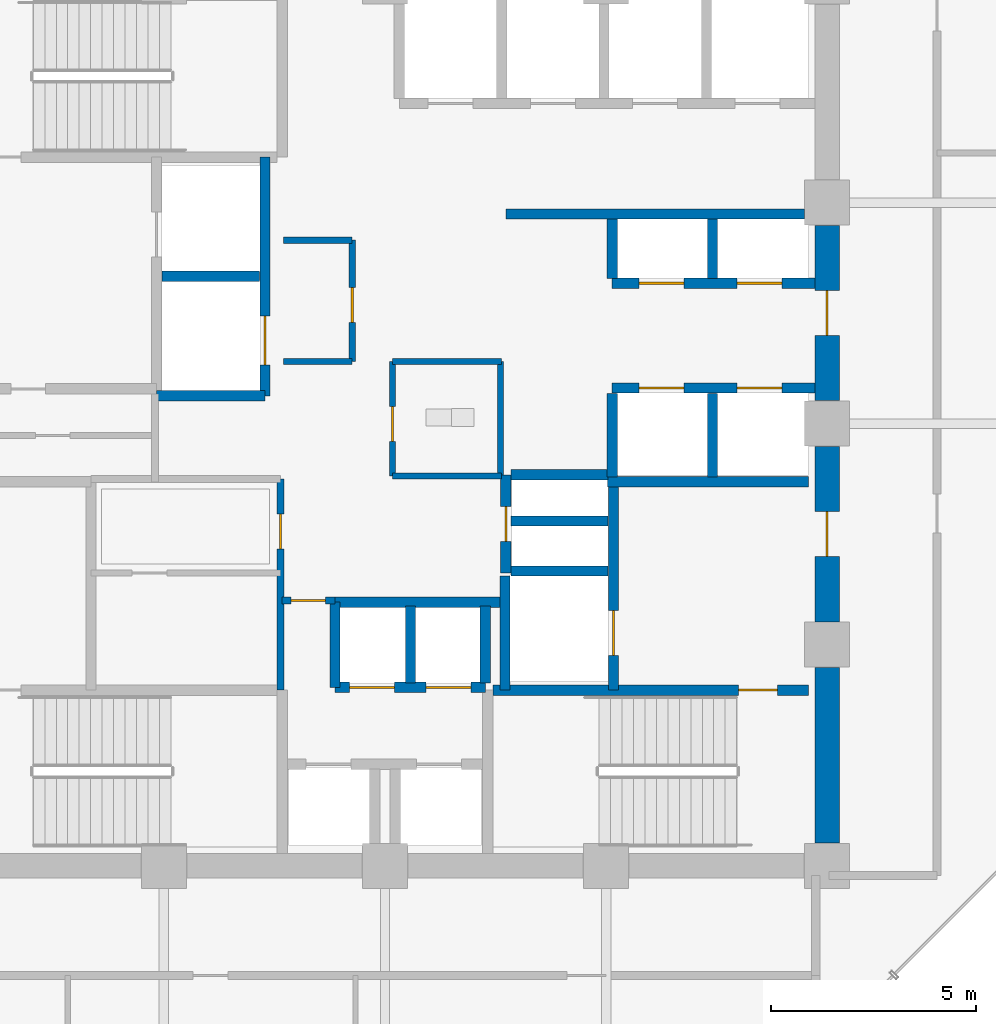
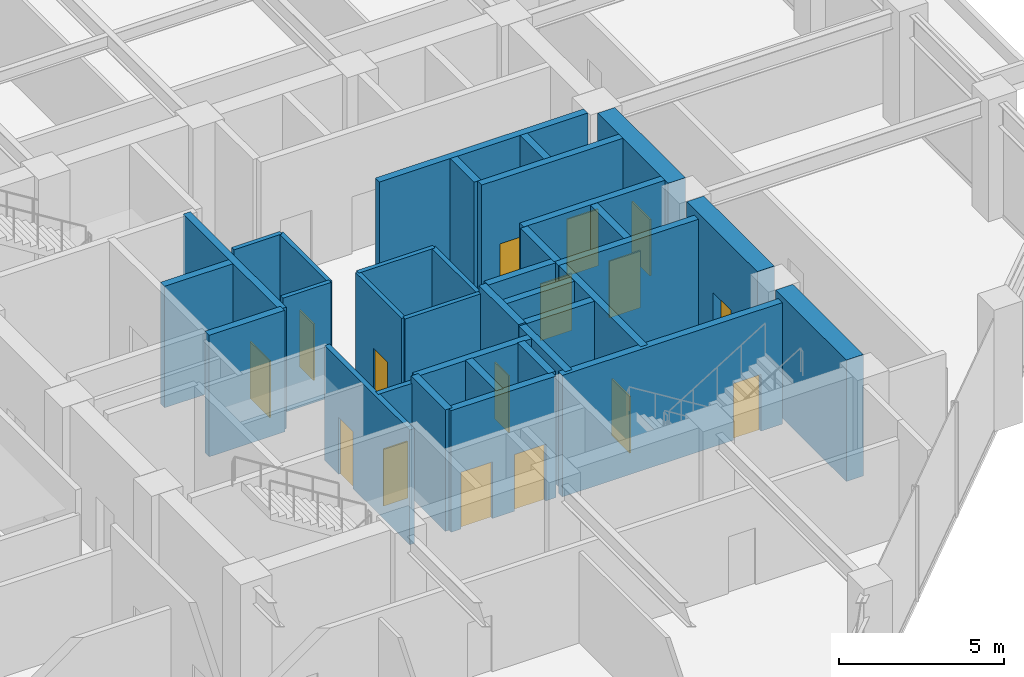
# One storey, part 20 of 25: 35 walls, 16 doors, 16 openings.
"""IFC4 building model written with IfcOpenShell, lengths in metres."""

from ifc_helpers import new_model, si_unit, direction, frame, frame_2d, origin, place, context, subcontext, project, spatial, rectangle, extrude, material, layer, layer_set, type_object, element, fill, save


model = new_model("IFC4")

# Units and contexts
model_context = context("Model", 3, precision=1e-05, world=origin(), true_north=direction((0.0, 1.0)))
body_context = subcontext(model_context, "Body", "Model", "MODEL_VIEW")
ifc_project = project(units=[si_unit("LENGTHUNIT", "METRE"), si_unit("AREAUNIT", "SQUARE_METRE"), si_unit("VOLUMEUNIT", "CUBIC_METRE"), si_unit("PLANEANGLEUNIT", "RADIAN"), si_unit("MASSUNIT", "GRAM", prefix="KILO")], contexts=[model_context])

# Site, building, storey
site_placement = place(None, origin())
site = spatial("IfcSite", under=ifc_project, at=site_placement, CompositionType="ELEMENT")
building_placement = place(site_placement, origin())
building = spatial("IfcBuilding", under=site, at=building_placement, Name="Surkhivell Harbour Commons", CompositionType="ELEMENT")
storey_placement = place(building_placement, frame((0.0, 0.0, 162.0)))
storey = spatial("IfcBuildingStorey", under=building, at=storey_placement, Name="L42", CompositionType="ELEMENT", Elevation=162.0)

# Wall
ifc_material_1 = material(Name="Concrete C60/75", Category="concrete")
ifc_layer_1 = layer(ifc_material_1, 0.60009765625)
ifc_layer_set_1 = layer_set([ifc_layer_1], Name="Concrete C60/75")
wall_type_1 = type_object("IfcWallType", Name="WAL-CORE-600", PredefinedType="SHEAR", material=ifc_layer_set_1)
wall_1_placement = place(storey_placement, frame((10.800048828125, -10.239990234375, 0.0), z_axis=(0.0, 0.0, 1.0), x_axis=(0.0, 1.0, 0.0)))
element("IfcWall", 1, at=wall_1_placement, inside=storey, type_object=wall_type_1, Name="L42 Core Shear Wall East 1", PredefinedType="SHEAR", context=body_context, shape_type="SweptSolid", body=[
    extrude(rectangle(XDim=4.280029296875, YDim=0.60009765625, at=frame_2d((2.14013671875, 0.0))), origin(), (0.0, 0.0, 1.0), 4.5),
])

# Wall, opening, door
wall_2_placement = place(storey_placement, frame((10.800048828125, -4.840087890625, 0.0), z_axis=(0.0, 0.0, 1.0), x_axis=(0.0, 1.0, 0.0)))
wall_2 = element("IfcWall", 2, at=wall_2_placement, inside=storey, type_object=wall_type_1, Name="L42 Core Shear Wall East 2", PredefinedType="SHEAR", context=body_context, shape_type="SweptSolid", body=[
    extrude(rectangle(XDim=4.280029296875, YDim=0.60009765625, at=frame_2d((2.14013671875, 0.0))), origin(), (0.0, 0.0, 1.0), 4.5),
])
opening_1_placement = place(wall_2_placement, frame((1.590087890625, 0.0, 0.0)))
opening_1 = element("IfcOpeningElement", 3, at=opening_1_placement, cuts=wall_2, Name="Opening ID-1", PredefinedType="OPENING", context=body_context, shape_type="SweptSolid", body=[
    extrude(rectangle(XDim=1.10009765625, YDim=2.10009765625, at=frame_2d((0.550048828125, 1.050048828125))), frame((0.0, 0.31005859375, 0.0), z_axis=(0.0, -1.0, 0.0), x_axis=(1.0, 0.0, 0.0)), (0.0, 0.0, 1.0), 0.6201171875),
])
ifc_material_2 = material(Name="Hardwood-veneered fire-rated door leaf", Category="wood")
door_type_1 = type_object("IfcDoorType", Name="DOR-FD120-1100", OperationType="NOTDEFINED", PredefinedType="DOOR", material=ifc_material_2)
door_1_placement = place(opening_1_placement, origin())
door_1 = element("IfcDoor", 4, at=door_1_placement, inside=storey, type_object=door_type_1, Name="L42 Firefighting Lobby 2 Corridor Door", OperationType="SINGLE_SWING_RIGHT", OverallHeight=2.10009765625, OverallWidth=1.10009765625, PredefinedType="DOOR", context=body_context, shape_type="SweptSolid", body=[
    extrude(rectangle(XDim=1.10009765625, YDim=2.10009765625, at=frame_2d((0.550048828125, 1.050048828125))), frame((0.0, 0.02490234375, 0.0), z_axis=(0.0, -1.0, 0.0), x_axis=(1.0, 0.0, 0.0)), (0.0, 0.0, 1.0), 0.050048828125),
])
fill(opening_1, door_1)

wall_3_placement = place(storey_placement, frame((10.800048828125, 0.56005859375, 0.0), z_axis=(0.0, 0.0, 1.0), x_axis=(0.0, 1.0, 0.0)))
wall_3 = element("IfcWall", 5, at=wall_3_placement, inside=storey, type_object=wall_type_1, Name="L42 Core Shear Wall East 3", PredefinedType="SHEAR", context=body_context, shape_type="SweptSolid", body=[
    extrude(rectangle(XDim=4.280029296875, YDim=0.60009765625, at=frame_2d((2.14013671875, 0.0))), origin(), (0.0, 0.0, 1.0), 4.5),
])
opening_2_placement = place(wall_3_placement, frame((1.590087890625, 0.0, 0.0)))
opening_2 = element("IfcOpeningElement", 6, at=opening_2_placement, cuts=wall_3, Name="Opening ID-2", PredefinedType="OPENING", context=body_context, shape_type="SweptSolid", body=[
    extrude(rectangle(XDim=1.10009765625, YDim=2.10009765625, at=frame_2d((0.550048828125, 1.050048828125))), frame((0.0, 0.31005859375, 0.0), z_axis=(0.0, -1.0, 0.0), x_axis=(1.0, 0.0, 0.0)), (0.0, 0.0, 1.0), 0.6201171875),
])
door_type_2 = type_object("IfcDoorType", Name="DOR-FD60-1100", OperationType="NOTDEFINED", PredefinedType="DOOR", material=ifc_material_2)
door_2_placement = place(opening_2_placement, origin())
door_2 = element("IfcDoor", 7, at=door_2_placement, inside=storey, type_object=door_type_2, Name="L42 Mid-Rise Lobby East Door", OperationType="SINGLE_SWING_LEFT", OverallHeight=2.10009765625, OverallWidth=1.10009765625, PredefinedType="DOOR", context=body_context, shape_type="SweptSolid", body=[
    extrude(rectangle(XDim=1.10009765625, YDim=2.10009765625, at=frame_2d((0.550048828125, 1.050048828125))), frame((0.0, 0.02490234375, 0.0), z_axis=(0.0, -1.0, 0.0), x_axis=(1.0, 0.0, 0.0)), (0.0, 0.0, 1.0), 0.050048828125),
])
fill(opening_2, door_2)

# Walls
ifc_material_3 = material(Name="Twin-stud acoustic fireboard partition", Category="other")
ifc_layer_2 = layer(ifc_material_3, 0.14990234375)
ifc_layer_set_2 = layer_set([ifc_layer_2], Name="Twin-stud acoustic fireboard partition")
wall_type_2 = type_object("IfcWallType", Name="WAL-INT-150", PredefinedType="PARTITIONING", material=ifc_layer_set_2)
wall_4_placement = place(storey_placement, frame((2.820068359375, -1.25, 0.0), z_axis=(0.0, 0.0, 1.0), x_axis=(0.0, 1.0, 0.0)))
element("IfcWall", 8, at=wall_4_placement, inside=storey, type_object=wall_type_2, Name="L42 Core WC East Wall", PredefinedType="PARTITIONING", context=body_context, shape_type="SweptSolid", body=[
    extrude(rectangle(XDim=2.77001953125, YDim=0.14990234375, at=frame_2d((1.385009765625, 0.0))), origin(), (0.0, 0.0, 1.0), 4.25),
])
for number, where, z_axis, x_axis, name in (
    (9, (0.179931640625, 1.52001953125, 0.0), (0.0, 0.0, 1.0), (1.0, 0.0, 0.0), "L42 Core WC North Wall"),
    (10, (0.179931640625, -1.280029296875, 0.0), (0.0, 0.0, 1.0), (1.0, 0.0, 0.0), "L42 Core WC South Wall"),
):
    element("IfcWall", number, at=place(storey_placement, frame(where, z_axis=z_axis, x_axis=x_axis)), inside=storey, type_object=wall_type_2, Name=name, PredefinedType="PARTITIONING", context=body_context, shape_type="SweptSolid", body=[
        extrude(rectangle(XDim=2.670166015625, YDim=0.14990234375, at=frame_2d((1.3349609375, 0.0))), origin(), (0.0, 0.0, 1.0), 4.25),
    ])

# Wall, opening, door
wall_5_placement = place(storey_placement, frame((0.179931640625, -1.280029296875, 0.0), z_axis=(0.0, 0.0, 1.0), x_axis=(0.0, 1.0, 0.0)))
wall_5 = element("IfcWall", 11, at=wall_5_placement, inside=storey, type_object=wall_type_2, Name="L42 Core Accessible WC West Wall", PredefinedType="PARTITIONING", context=body_context, shape_type="SweptSolid", body=[
    extrude(rectangle(XDim=2.800048828125, YDim=0.14990234375, at=frame_2d((1.39990234375, 0.0))), origin(), (0.0, 0.0, 1.0), 4.25),
])
opening_3_placement = place(wall_5_placement, frame((0.85009765625, 0.0, 0.0)))
opening_3 = element("IfcOpeningElement", 12, at=opening_3_placement, cuts=wall_5, Name="Opening ID-6", PredefinedType="OPENING", context=body_context, shape_type="SweptSolid", body=[
    extrude(rectangle(XDim=0.85009765625, YDim=2.10009765625, at=frame_2d((0.425048828125, 1.050048828125))), frame((0.0, 0.0849609375, 0.0), z_axis=(0.0, -1.0, 0.0), x_axis=(1.0, 0.0, 0.0)), (0.0, 0.0, 1.0), 0.169921875),
])
door_type_3 = type_object("IfcDoorType", Name="DOR-FD30-850", OperationType="NOTDEFINED", PredefinedType="DOOR", material=ifc_material_2)
door_3_placement = place(opening_3_placement, origin())
door_3 = element("IfcDoor", 13, at=door_3_placement, inside=storey, type_object=door_type_3, Name="L42 Floor Accessible WC Door", OperationType="SINGLE_SWING_RIGHT", OverallHeight=2.10009765625, OverallWidth=0.85009765625, PredefinedType="DOOR", context=body_context, shape_type="SweptSolid", body=[
    extrude(rectangle(XDim=0.85009765625, YDim=2.10009765625, at=frame_2d((0.425048828125, 1.050048828125))), frame((0.0, 0.02490234375, 0.0), z_axis=(0.0, -1.0, 0.0), x_axis=(1.0, 0.0, 0.0)), (0.0, 0.0, 1.0), 0.050048828125),
])
fill(opening_3, door_3)

wall_6_placement = place(storey_placement, frame((-0.800048828125, 1.52001953125, 0.0), z_axis=(0.0, 0.0, 1.0), x_axis=(0.0, 1.0, 0.0)))
wall_6 = element("IfcWall", 14, at=wall_6_placement, inside=storey, type_object=wall_type_2, Name="L42 Core Seminar East Wall", PredefinedType="PARTITIONING", context=body_context, shape_type="SweptSolid", body=[
    extrude(rectangle(XDim=2.9599609375, YDim=0.14990234375, at=frame_2d((1.47998046875, 0.0))), origin(), (0.0, 0.0, 1.0), 4.25),
])
opening_4_placement = place(wall_6_placement, frame((0.949951171875, 0.0, 0.0)))
opening_4 = element("IfcOpeningElement", 15, at=opening_4_placement, cuts=wall_6, Name="Opening ID-6", PredefinedType="OPENING", context=body_context, shape_type="SweptSolid", body=[
    extrude(rectangle(XDim=0.85009765625, YDim=2.10009765625, at=frame_2d((0.425048828125, 1.050048828125))), frame((0.0, 0.0849609375, 0.0), z_axis=(0.0, -1.0, 0.0), x_axis=(1.0, 0.0, 0.0)), (0.0, 0.0, 1.0), 0.169921875),
])
door_4_placement = place(opening_4_placement, origin())
door_4 = element("IfcDoor", 16, at=door_4_placement, inside=storey, type_object=door_type_3, Name="L42 Central Seminar Door", OperationType="SINGLE_SWING_LEFT", OverallHeight=2.10009765625, OverallWidth=0.85009765625, PredefinedType="DOOR", context=body_context, shape_type="SweptSolid", body=[
    extrude(rectangle(XDim=0.85009765625, YDim=2.10009765625, at=frame_2d((0.425048828125, 1.050048828125))), frame((0.0, 0.02490234375, 0.0), z_axis=(0.0, -1.0, 0.0), x_axis=(1.0, 0.0, 0.0)), (0.0, 0.0, 1.0), 0.050048828125),
])
fill(opening_4, door_4)

# Walls
for number, where, z_axis, x_axis, name in (
    (17, (-2.47998046875, 4.47998046875, 0.0), (0.0, 0.0, 1.0), (1.0, 0.0, 0.0), "L42 Core Seminar North Wall"),
    (18, (-2.47998046875, 1.52001953125, 0.0), (0.0, 0.0, 1.0), (1.0, 0.0, 0.0), "L42 Core Seminar South Wall"),
):
    element("IfcWall", number, at=place(storey_placement, frame(where, z_axis=z_axis, x_axis=x_axis)), inside=storey, type_object=wall_type_2, Name=name, PredefinedType="PARTITIONING", context=body_context, shape_type="SweptSolid", body=[
        extrude(rectangle(XDim=1.679931640625, YDim=0.14990234375, at=frame_2d((0.83984375, 0.0))), origin(), (0.0, 0.0, 1.0), 4.25),
    ])

# Wall, opening, door
ifc_material_4 = material(Name="High-density acoustic blockwork fire partition", Category="masonry")
ifc_layer_3 = layer(ifc_material_4, 0.175048828125)
ifc_layer_set_3 = layer_set([ifc_layer_3], Name="High-density acoustic blockwork fire partition")
wall_type_3 = type_object("IfcWallType", Name="WAL-INT-175", PredefinedType="PARTITIONING", material=ifc_layer_set_3)
wall_7_placement = place(storey_placement, frame((-2.550048828125, -6.510009765625, 0.0), z_axis=(0.0, 0.0, 1.0), x_axis=(0.0, 1.0, 0.0)))
wall_7 = element("IfcWall", 19, at=wall_7_placement, inside=storey, type_object=wall_type_3, Name="L42 Core Service Bay East Wall", PredefinedType="PARTITIONING", context=body_context, shape_type="SweptSolid", body=[
    extrude(rectangle(XDim=5.159912109375, YDim=0.175048828125, at=frame_2d((2.580078125, 0.0))), origin(), (0.0, 0.0, 1.0), 4.25),
])
opening_5_placement = place(wall_7_placement, frame((3.449951171875, 0.0, 0.0)))
opening_5 = element("IfcOpeningElement", 20, at=opening_5_placement, cuts=wall_7, Name="Opening ID-6", PredefinedType="OPENING", context=body_context, shape_type="SweptSolid", body=[
    extrude(rectangle(XDim=0.85009765625, YDim=2.10009765625, at=frame_2d((0.425048828125, 1.050048828125))), frame((0.0, 0.097412109375, 0.0), z_axis=(0.0, -1.0, 0.0), x_axis=(1.0, 0.0, 0.0)), (0.0, 0.0, 1.0), 0.195068359375),
])
door_5_placement = place(opening_5_placement, origin())
door_5 = element("IfcDoor", 21, at=door_5_placement, inside=storey, type_object=door_type_3, Name="L42 Core Seminar Door", OperationType="SINGLE_SWING_LEFT", OverallHeight=2.10009765625, OverallWidth=0.85009765625, PredefinedType="DOOR", context=body_context, shape_type="SweptSolid", body=[
    extrude(rectangle(XDim=0.85009765625, YDim=2.10009765625, at=frame_2d((0.425048828125, 1.050048828125))), frame((0.0, 0.02490234375, 0.0), z_axis=(0.0, -1.0, 0.0), x_axis=(1.0, 0.0, 0.0)), (0.0, 0.0, 1.0), 0.050048828125),
])
fill(opening_5, door_5)

wall_8_placement = place(storey_placement, frame((-2.52001953125, -4.320068359375, 0.0), z_axis=(0.0, 0.0, 1.0), x_axis=(1.0, 0.0, 0.0)))
wall_8 = element("IfcWall", 22, at=wall_8_placement, inside=storey, type_object=wall_type_3, Name="L42 High-Rise Lobby North Portal Wall", PredefinedType="PARTITIONING", context=body_context, shape_type="SweptSolid", body=[
    extrude(rectangle(XDim=1.300048828125, YDim=0.175048828125, at=frame_2d((0.64990234375, 0.0))), origin(), (0.0, 0.0, 1.0), 4.25),
])
opening_6_placement = place(wall_8_placement, frame((0.219970703125, 0.0, 0.0)))
opening_6 = element("IfcOpeningElement", 23, at=opening_6_placement, cuts=wall_8, Name="Opening ID-6", PredefinedType="OPENING", context=body_context, shape_type="SweptSolid", body=[
    extrude(rectangle(XDim=0.85009765625, YDim=2.10009765625, at=frame_2d((0.425048828125, 1.050048828125))), frame((0.0, 0.097412109375, 0.0), z_axis=(0.0, -1.0, 0.0), x_axis=(1.0, 0.0, 0.0)), (0.0, 0.0, 1.0), 0.195068359375),
])
door_6_placement = place(opening_6_placement, origin())
door_6 = element("IfcDoor", 24, at=door_6_placement, inside=storey, type_object=door_type_3, Name="L42 High-Rise Lift Lobby North Door", OperationType="SINGLE_SWING_LEFT", OverallHeight=2.10009765625, OverallWidth=0.85009765625, PredefinedType="DOOR", context=body_context, shape_type="SweptSolid", body=[
    extrude(rectangle(XDim=0.85009765625, YDim=2.10009765625, at=frame_2d((0.425048828125, 1.050048828125))), frame((0.0, 0.02490234375, 0.0), z_axis=(0.0, -1.0, 0.0), x_axis=(1.0, 0.0, 0.0)), (0.0, 0.0, 1.0), 0.050048828125),
])
fill(opening_6, door_6)

# Walls
ifc_material_5 = material(Name="Concrete C50/60", Category="concrete")
ifc_layer_4 = layer(ifc_material_5, 0.25)
ifc_layer_set_4 = layer_set([ifc_layer_4], Name="Concrete C50/60")
wall_type_4 = type_object("IfcWallType", Name="WAL-SHAFT-250", PredefinedType="SHEAR", material=ifc_layer_set_4)
wall_9_placement = place(storey_placement, frame((2.929931640625, -6.510009765625, 0.0), z_axis=(0.0, 0.0, 1.0), x_axis=(0.0, 1.0, 0.0)))
element("IfcWall", 25, at=wall_9_placement, inside=storey, type_object=wall_type_4, Name="L42 FFL2 West Shaft Wall", PredefinedType="SHEAR", context=body_context, shape_type="SweptSolid", body=[
    extrude(rectangle(XDim=2.7900390625, YDim=0.25, at=frame_2d((1.39501953125, 0.0))), origin(), (0.0, 0.0, 1.0), 4.5),
])
wall_10_placement = place(storey_placement, frame((5.43994140625, -1.419921875, 0.0), z_axis=(0.0, 0.0, 1.0), x_axis=(1.0, 0.0, 0.0)))
element("IfcWall", 26, at=wall_10_placement, inside=storey, type_object=wall_type_4, Name="L42 Firefighting Lobby 2 North Wall", PredefinedType="SHEAR", context=body_context, shape_type="SweptSolid", body=[
    extrude(rectangle(XDim=4.900146484375, YDim=0.25, at=frame_2d((2.4501953125, 0.0))), origin(), (0.0, 0.0, 1.0), 4.5),
])
wall_11_placement = place(storey_placement, frame((3.080078125, -3.60009765625, 0.0), z_axis=(0.0, 0.0, 1.0), x_axis=(1.0, 0.0, 0.0)))
element("IfcWall", 27, at=wall_11_placement, inside=storey, type_object=wall_type_4, Name="L42 FFL2 North Shaft Wall", PredefinedType="SHEAR", context=body_context, shape_type="SweptSolid", body=[
    extrude(rectangle(XDim=2.369873046875, YDim=0.25, at=frame_2d((1.18505859375, 0.0))), origin(), (0.0, 0.0, 1.0), 4.5),
])

# Wall, opening, door
wall_12_placement = place(storey_placement, frame((5.580078125, -6.510009765625, 0.0), z_axis=(0.0, 0.0, 1.0), x_axis=(0.0, 1.0, 0.0)))
wall_12 = element("IfcWall", 28, at=wall_12_placement, inside=storey, type_object=wall_type_4, Name="L42 Firefighting Lobby 2 West Shaft Wall", PredefinedType="SHEAR", context=body_context, shape_type="SweptSolid", body=[
    extrude(rectangle(XDim=5.090087890625, YDim=0.25, at=frame_2d((2.544921875, 0.0))), origin(), (0.0, 0.0, 1.0), 4.5),
])
opening_7_placement = place(wall_12_placement, frame((0.85009765625, 0.0, 0.0)))
opening_7 = element("IfcOpeningElement", 29, at=opening_7_placement, cuts=wall_12, Name="Opening LD-1", PredefinedType="OPENING", context=body_context, shape_type="SweptSolid", body=[
    extrude(rectangle(XDim=1.10009765625, YDim=2.10009765625, at=frame_2d((0.550048828125, 1.050048828125))), frame((0.0, 0.135009765625, 0.0), z_axis=(0.0, -1.0, 0.0), x_axis=(1.0, 0.0, 0.0)), (0.0, 0.0, 1.0), 0.27001953125),
])
ifc_material_6 = material(Name="Brushed stainless steel S355", Category="steel")
door_type_4 = type_object("IfcDoorType", Name="DOR-LD-1100", OperationType="SLIDING_TO_LEFT", PredefinedType="DOOR", material=ifc_material_6)
door_7_placement = place(opening_7_placement, origin())
door_7 = element("IfcDoor", 30, at=door_7_placement, inside=storey, type_object=door_type_4, Name="L42 Lift Landing Door LD-FFL2", OperationType="SLIDING_TO_RIGHT", OverallHeight=2.10009765625, OverallWidth=1.10009765625, PredefinedType="DOOR", context=body_context, shape_type="SweptSolid", body=[
    extrude(rectangle(XDim=1.10009765625, YDim=2.10009765625, at=frame_2d((0.550048828125, 1.050048828125))), frame((0.0, 0.02490234375, 0.0), z_axis=(0.0, -1.0, 0.0), x_axis=(1.0, 0.0, 0.0)), (0.0, 0.0, 1.0), 0.050048828125),
])
fill(opening_7, door_7)

# Walls
for number, where, z_axis, x_axis, name in (
    (31, (0.6201171875, -6.340087890625, 0.0), (0.0, 0.0, 1.0), (0.0, 1.0, 0.0), "L42 High-Rise Side Wall N"),
    (32, (2.449951171875, -6.340087890625, 0.0), (0.0, 0.0, 1.0), (0.0, 1.0, 0.0), "L42 High-Rise Side Wall N"),
):
    element("IfcWall", number, at=place(storey_placement, frame(where, z_axis=z_axis, x_axis=x_axis)), inside=storey, type_object=wall_type_4, Name=name, PredefinedType="SHEAR", context=body_context, shape_type="SweptSolid", body=[
        extrude(rectangle(XDim=1.880126953125, YDim=0.25, at=frame_2d((0.93994140625, 0.0))), origin(), (0.0, 0.0, 1.0), 4.5),
    ])
wall_13_placement = place(storey_placement, frame((-1.219970703125, -6.43994140625, 0.0), z_axis=(0.0, 0.0, 1.0), x_axis=(0.0, 1.0, 0.0)))
element("IfcWall", 33, at=wall_13_placement, inside=storey, type_object=wall_type_4, Name="L42 High-Rise Passage East Shaft Wall", PredefinedType="SHEAR", context=body_context, shape_type="SweptSolid", body=[
    extrude(rectangle(XDim=2.079833984375, YDim=0.25, at=frame_2d((1.0400390625, 0.0))), origin(), (0.0, 0.0, 1.0), 4.5),
])

# Wall, openings, doors
wall_14_placement = place(storey_placement, frame((-1.219970703125, -6.43994140625, 0.0), z_axis=(0.0, 0.0, 1.0), x_axis=(1.0, 0.0, 0.0)))
wall_14 = element("IfcWall", 34, at=wall_14_placement, inside=storey, type_object=wall_type_4, Name="L42 High-Rise North Front Shaft Wall", PredefinedType="SHEAR", context=body_context, shape_type="SweptSolid", body=[
    extrude(rectangle(XDim=3.669921875, YDim=0.25, at=frame_2d((1.8349609375, 0.0))), origin(), (0.0, 0.0, 1.0), 4.5),
])
opening_8_placement = place(wall_14_placement, frame((0.35009765625, 0.0, 0.0)))
opening_8 = element("IfcOpeningElement", 35, at=opening_8_placement, cuts=wall_14, Name="Opening LD-1", PredefinedType="OPENING", context=body_context, shape_type="SweptSolid", body=[
    extrude(rectangle(XDim=1.10009765625, YDim=2.10009765625, at=frame_2d((0.550048828125, 1.050048828125))), frame((0.0, 0.135009765625, 0.0), z_axis=(0.0, -1.0, 0.0), x_axis=(1.0, 0.0, 0.0)), (0.0, 0.0, 1.0), 0.27001953125),
])
opening_9_placement = place(wall_14_placement, frame((2.219970703125, 0.0, 0.0)))
opening_9 = element("IfcOpeningElement", 36, at=opening_9_placement, cuts=wall_14, Name="Opening LD-1", PredefinedType="OPENING", context=body_context, shape_type="SweptSolid", body=[
    extrude(rectangle(XDim=1.10009765625, YDim=2.10009765625, at=frame_2d((0.550048828125, 1.050048828125))), frame((0.0, 0.135009765625, 0.0), z_axis=(0.0, -1.0, 0.0), x_axis=(1.0, 0.0, 0.0)), (0.0, 0.0, 1.0), 0.27001953125),
])
door_8_placement = place(opening_8_placement, origin())
door_8 = element("IfcDoor", 37, at=door_8_placement, inside=storey, type_object=door_type_4, Name="L42 Lift Landing Door LD-PH1", OperationType="SLIDING_TO_LEFT", OverallHeight=2.10009765625, OverallWidth=1.10009765625, PredefinedType="DOOR", context=body_context, shape_type="SweptSolid", body=[
    extrude(rectangle(XDim=1.10009765625, YDim=2.10009765625, at=frame_2d((0.550048828125, 1.050048828125))), frame((0.0, 0.02490234375, 0.0), z_axis=(0.0, -1.0, 0.0), x_axis=(1.0, 0.0, 0.0)), (0.0, 0.0, 1.0), 0.050048828125),
])
fill(opening_8, door_8)
door_9_placement = place(opening_9_placement, origin())
door_9 = element("IfcDoor", 38, at=door_9_placement, inside=storey, type_object=door_type_4, Name="L42 Lift Landing Door LD-PH2", OperationType="SLIDING_TO_LEFT", OverallHeight=2.10009765625, OverallWidth=1.10009765625, PredefinedType="DOOR", context=body_context, shape_type="SweptSolid", body=[
    extrude(rectangle(XDim=1.10009765625, YDim=2.10009765625, at=frame_2d((0.550048828125, 1.050048828125))), frame((0.0, 0.02490234375, 0.0), z_axis=(0.0, -1.0, 0.0), x_axis=(1.0, 0.0, 0.0)), (0.0, 0.0, 1.0), 0.050048828125),
])
fill(opening_9, door_9)

# Walls
wall_15_placement = place(storey_placement, frame((-1.219970703125, -4.360107421875, 0.0), z_axis=(0.0, 0.0, 1.0), x_axis=(1.0, 0.0, 0.0)))
element("IfcWall", 39, at=wall_15_placement, inside=storey, type_object=wall_type_4, Name="L42 High-Rise North Back Shaft Wall", PredefinedType="SHEAR", context=body_context, shape_type="SweptSolid", body=[
    extrude(rectangle(XDim=4.030029296875, YDim=0.25, at=frame_2d((2.01513671875, 0.0))), origin(), (0.0, 0.0, 1.0), 4.5),
])
wall_16_placement = place(storey_placement, frame((2.949951171875, 5.1201171875, 0.0), z_axis=(0.0, 0.0, 1.0), x_axis=(1.0, 0.0, 0.0)))
element("IfcWall", 40, at=wall_16_placement, inside=storey, type_object=wall_type_4, Name="L42 Low-Rise Lobby South Wall", PredefinedType="SHEAR", context=body_context, shape_type="SweptSolid", body=[
    extrude(rectangle(XDim=7.300048828125, YDim=0.25, at=frame_2d((3.64990234375, 0.0))), origin(), (0.0, 0.0, 1.0), 4.5),
])
for number, where, z_axis, x_axis, name in (
    (41, (5.550048828125, 3.550048828125, 0.0), (0.0, 0.0, 1.0), (0.0, 1.0, 0.0), "L42 Mid-Rise Shaft Side Wall N"),
    (42, (8.0, 3.550048828125, 0.0), (0.0, 0.0, 1.0), (0.0, 1.0, 0.0), "L42 Mid-Rise Shaft Side Wall N"),
):
    element("IfcWall", number, at=place(storey_placement, frame(where, z_axis=z_axis, x_axis=x_axis)), inside=storey, type_object=wall_type_4, Name=name, PredefinedType="SHEAR", context=body_context, shape_type="SweptSolid", body=[
        extrude(rectangle(XDim=1.449951171875, YDim=0.25, at=frame_2d((0.72509765625, 0.0))), origin(), (0.0, 0.0, 1.0), 4.5),
    ])
for number, where, z_axis, x_axis, name in (
    (43, (5.550048828125, -1.300048828125, 0.0), (0.0, 0.0, 1.0), (0.0, 1.0, 0.0), "L42 Mid-Rise Shaft Side Wall S"),
    (44, (8.0, -1.300048828125, 0.0), (0.0, 0.0, 1.0), (0.0, 1.0, 0.0), "L42 Mid-Rise Shaft Side Wall S"),
):
    element("IfcWall", number, at=place(storey_placement, frame(where, z_axis=z_axis, x_axis=x_axis)), inside=storey, type_object=wall_type_4, Name=name, PredefinedType="SHEAR", context=body_context, shape_type="SweptSolid", body=[
        extrude(rectangle(XDim=2.0400390625, YDim=0.25, at=frame_2d((1.02001953125, 0.0))), origin(), (0.0, 0.0, 1.0), 4.5),
    ])

# Wall, openings, doors
wall_17_placement = place(storey_placement, frame((5.550048828125, 3.429931640625, 0.0), z_axis=(0.0, 0.0, 1.0), x_axis=(1.0, 0.0, 0.0)))
wall_17 = element("IfcWall", 45, at=wall_17_placement, inside=storey, type_object=wall_type_4, Name="L42 Mid-Rise North Front Shaft Wall", PredefinedType="SHEAR", context=body_context, shape_type="SweptSolid", body=[
    extrude(rectangle(XDim=4.949951171875, YDim=0.25, at=frame_2d((2.47509765625, 0.0))), origin(), (0.0, 0.0, 1.0), 4.5),
])
opening_10_placement = place(wall_17_placement, frame((0.64990234375, 0.0, 0.0)))
opening_10 = element("IfcOpeningElement", 46, at=opening_10_placement, cuts=wall_17, Name="Opening LD-1", PredefinedType="OPENING", context=body_context, shape_type="SweptSolid", body=[
    extrude(rectangle(XDim=1.10009765625, YDim=2.10009765625, at=frame_2d((0.550048828125, 1.050048828125))), frame((0.0, 0.135009765625, 0.0), z_axis=(0.0, -1.0, 0.0), x_axis=(1.0, 0.0, 0.0)), (0.0, 0.0, 1.0), 0.27001953125),
])
opening_11_placement = place(wall_17_placement, frame((3.050048828125, 0.0, 0.0)))
opening_11 = element("IfcOpeningElement", 47, at=opening_11_placement, cuts=wall_17, Name="Opening LD-1", PredefinedType="OPENING", context=body_context, shape_type="SweptSolid", body=[
    extrude(rectangle(XDim=1.10009765625, YDim=2.10009765625, at=frame_2d((0.550048828125, 1.050048828125))), frame((0.0, 0.135009765625, 0.0), z_axis=(0.0, -1.0, 0.0), x_axis=(1.0, 0.0, 0.0)), (0.0, 0.0, 1.0), 0.27001953125),
])
door_10_placement = place(opening_10_placement, origin())
door_10 = element("IfcDoor", 48, at=door_10_placement, inside=storey, type_object=door_type_4, Name="L42 Lift Landing Door LD-PM1", OperationType="SLIDING_TO_RIGHT", OverallHeight=2.10009765625, OverallWidth=1.10009765625, PredefinedType="DOOR", context=body_context, shape_type="SweptSolid", body=[
    extrude(rectangle(XDim=1.10009765625, YDim=2.10009765625, at=frame_2d((0.550048828125, 1.050048828125))), frame((0.0, 0.02490234375, 0.0), z_axis=(0.0, -1.0, 0.0), x_axis=(1.0, 0.0, 0.0)), (0.0, 0.0, 1.0), 0.050048828125),
])
fill(opening_10, door_10)
door_11_placement = place(opening_11_placement, origin())
door_11 = element("IfcDoor", 49, at=door_11_placement, inside=storey, type_object=door_type_4, Name="L42 Lift Landing Door LD-PM2", OperationType="SLIDING_TO_RIGHT", OverallHeight=2.10009765625, OverallWidth=1.10009765625, PredefinedType="DOOR", context=body_context, shape_type="SweptSolid", body=[
    extrude(rectangle(XDim=1.10009765625, YDim=2.10009765625, at=frame_2d((0.550048828125, 1.050048828125))), frame((0.0, 0.02490234375, 0.0), z_axis=(0.0, -1.0, 0.0), x_axis=(1.0, 0.0, 0.0)), (0.0, 0.0, 1.0), 0.050048828125),
])
fill(opening_11, door_11)

wall_18_placement = place(storey_placement, frame((5.550048828125, 0.8701171875, 0.0), z_axis=(0.0, 0.0, 1.0), x_axis=(1.0, 0.0, 0.0)))
wall_18 = element("IfcWall", 50, at=wall_18_placement, inside=storey, type_object=wall_type_4, Name="L42 Mid-Rise South Front Shaft Wall", PredefinedType="SHEAR", context=body_context, shape_type="SweptSolid", body=[
    extrude(rectangle(XDim=4.949951171875, YDim=0.25, at=frame_2d((2.47509765625, 0.0))), origin(), (0.0, 0.0, 1.0), 4.5),
])
opening_12_placement = place(wall_18_placement, frame((0.64990234375, 0.0, 0.0)))
opening_12 = element("IfcOpeningElement", 51, at=opening_12_placement, cuts=wall_18, Name="Opening LD-1", PredefinedType="OPENING", context=body_context, shape_type="SweptSolid", body=[
    extrude(rectangle(XDim=1.10009765625, YDim=2.10009765625, at=frame_2d((0.550048828125, 1.050048828125))), frame((0.0, 0.135009765625, 0.0), z_axis=(0.0, -1.0, 0.0), x_axis=(1.0, 0.0, 0.0)), (0.0, 0.0, 1.0), 0.27001953125),
])
opening_13_placement = place(wall_18_placement, frame((3.050048828125, 0.0, 0.0)))
opening_13 = element("IfcOpeningElement", 52, at=opening_13_placement, cuts=wall_18, Name="Opening LD-1", PredefinedType="OPENING", context=body_context, shape_type="SweptSolid", body=[
    extrude(rectangle(XDim=1.10009765625, YDim=2.10009765625, at=frame_2d((0.550048828125, 1.050048828125))), frame((0.0, 0.135009765625, 0.0), z_axis=(0.0, -1.0, 0.0), x_axis=(1.0, 0.0, 0.0)), (0.0, 0.0, 1.0), 0.27001953125),
])
door_12_placement = place(opening_12_placement, origin())
door_12 = element("IfcDoor", 53, at=door_12_placement, inside=storey, type_object=door_type_4, Name="L42 Lift Landing Door LD-PM3", OperationType="SLIDING_TO_RIGHT", OverallHeight=2.10009765625, OverallWidth=1.10009765625, PredefinedType="DOOR", context=body_context, shape_type="SweptSolid", body=[
    extrude(rectangle(XDim=1.10009765625, YDim=2.10009765625, at=frame_2d((0.550048828125, 1.050048828125))), frame((0.0, 0.02490234375, 0.0), z_axis=(0.0, -1.0, 0.0), x_axis=(1.0, 0.0, 0.0)), (0.0, 0.0, 1.0), 0.050048828125),
])
fill(opening_12, door_12)
door_13_placement = place(opening_13_placement, origin())
door_13 = element("IfcDoor", 54, at=door_13_placement, inside=storey, type_object=door_type_4, Name="L42 Lift Landing Door LD-PM4", OperationType="SLIDING_TO_RIGHT", OverallHeight=2.10009765625, OverallWidth=1.10009765625, PredefinedType="DOOR", context=body_context, shape_type="SweptSolid", body=[
    extrude(rectangle(XDim=1.10009765625, YDim=2.10009765625, at=frame_2d((0.550048828125, 1.050048828125))), frame((0.0, 0.02490234375, 0.0), z_axis=(0.0, -1.0, 0.0), x_axis=(1.0, 0.0, 0.0)), (0.0, 0.0, 1.0), 0.050048828125),
])
fill(opening_13, door_13)

# Walls
for number, where, z_axis, x_axis, name in (
    (55, (3.080078125, -2.3798828125, 0.0), (0.0, 0.0, 1.0), (1.0, 0.0, 0.0), "L42 Riser Divider Wall"),
    (56, (3.080078125, -1.25, 0.0), (0.0, 0.0, 1.0), (1.0, 0.0, 0.0), "L42 Riser North Wall"),
):
    element("IfcWall", number, at=place(storey_placement, frame(where, z_axis=z_axis, x_axis=x_axis)), inside=storey, type_object=wall_type_4, Name=name, PredefinedType="SHEAR", context=body_context, shape_type="SweptSolid", body=[
        extrude(rectangle(XDim=2.369873046875, YDim=0.25, at=frame_2d((1.18505859375, 0.0))), origin(), (0.0, 0.0, 1.0), 4.5),
    ])

# Wall, opening, door
wall_19_placement = place(storey_placement, frame((2.949951171875, -3.64990234375, 0.0), z_axis=(0.0, 0.0, 1.0), x_axis=(0.0, 1.0, 0.0)))
wall_19 = element("IfcWall", 57, at=wall_19_placement, inside=storey, type_object=wall_type_4, Name="L42 Riser Shaft West Wall", PredefinedType="SHEAR", context=body_context, shape_type="SweptSolid", body=[
    extrude(rectangle(XDim=2.39990234375, YDim=0.25, at=frame_2d((1.199951171875, 0.0))), origin(), (0.0, 0.0, 1.0), 4.5),
])
opening_14_placement = place(wall_19_placement, frame((0.77490234375, 0.0, 0.0)))
opening_14 = element("IfcOpeningElement", 58, at=opening_14_placement, cuts=wall_19, Name="Opening ID-6", PredefinedType="OPENING", context=body_context, shape_type="SweptSolid", body=[
    extrude(rectangle(XDim=0.85009765625, YDim=2.10009765625, at=frame_2d((0.425048828125, 1.050048828125))), frame((0.0, 0.135009765625, 0.0), z_axis=(0.0, -1.0, 0.0), x_axis=(1.0, 0.0, 0.0)), (0.0, 0.0, 1.0), 0.27001953125),
])
door_14_placement = place(opening_14_placement, origin())
door_14 = element("IfcDoor", 59, at=door_14_placement, inside=storey, type_object=door_type_3, Name="L42 Electrical Riser Access Door", OperationType="SINGLE_SWING_LEFT", OverallHeight=2.10009765625, OverallWidth=0.85009765625, PredefinedType="DOOR", context=body_context, shape_type="SweptSolid", body=[
    extrude(rectangle(XDim=0.85009765625, YDim=2.10009765625, at=frame_2d((0.425048828125, 1.050048828125))), frame((0.0, 0.02490234375, 0.0), z_axis=(0.0, -1.0, 0.0), x_axis=(1.0, 0.0, 0.0)), (0.0, 0.0, 1.0), 0.050048828125),
])
fill(opening_14, door_14)

wall_20_placement = place(storey_placement, frame((2.639892578125, -6.510009765625, 0.0), z_axis=(0.0, 0.0, 1.0), x_axis=(1.0, 0.0, 0.0)))
wall_20 = element("IfcWall", 60, at=wall_20_placement, inside=storey, type_object=wall_type_4, Name="L42 Stair ST2 North Shear Wall", PredefinedType="SHEAR", context=body_context, shape_type="SweptSolid", body=[
    extrude(rectangle(XDim=7.7001953125, YDim=0.25, at=frame_2d((3.85009765625, 0.0))), origin(), (0.0, 0.0, 1.0), 4.5),
])
opening_15_placement = place(wall_20_placement, frame((6.0, 0.0, 0.0)))
opening_15 = element("IfcOpeningElement", 61, at=opening_15_placement, cuts=wall_20, Name="Opening ID-4", PredefinedType="OPENING", context=body_context, shape_type="SweptSolid", body=[
    extrude(rectangle(XDim=0.949951171875, YDim=2.10009765625, at=frame_2d((0.47509765625, 1.050048828125))), frame((0.0, 0.135009765625, 0.0), z_axis=(0.0, -1.0, 0.0), x_axis=(1.0, 0.0, 0.0)), (0.0, 0.0, 1.0), 0.27001953125),
])
door_type_5 = type_object("IfcDoorType", Name="DOR-FD60-950", OperationType="NOTDEFINED", PredefinedType="DOOR", material=ifc_material_2)
door_15_placement = place(opening_15_placement, origin())
door_15 = element("IfcDoor", 62, at=door_15_placement, inside=storey, type_object=door_type_5, Name="L42 Stair ST2 Exit Door", OperationType="SINGLE_SWING_RIGHT", OverallHeight=2.10009765625, OverallWidth=0.949951171875, PredefinedType="DOOR", context=body_context, shape_type="SweptSolid", body=[
    extrude(rectangle(XDim=0.949951171875, YDim=2.10009765625, at=frame_2d((0.47509765625, 1.050048828125))), frame((0.0, 0.02490234375, 0.0), z_axis=(0.0, -1.0, 0.0), x_axis=(1.0, 0.0, 0.0)), (0.0, 0.0, 1.0), 0.050048828125),
])
fill(opening_15, door_15)

wall_21_placement = place(storey_placement, frame((-2.929931640625, 0.679931640625, 0.0), z_axis=(0.0, 0.0, 1.0), x_axis=(0.0, 1.0, 0.0)))
wall_21 = element("IfcWall", 63, at=wall_21_placement, inside=storey, type_object=wall_type_4, Name="L42 Service and Fire Lift East Shaft Wall", PredefinedType="SHEAR", context=body_context, shape_type="SweptSolid", body=[
    extrude(rectangle(XDim=5.830078125, YDim=0.25, at=frame_2d((2.9150390625, 0.0))), origin(), (0.0, 0.0, 1.0), 4.5),
])
opening_16_placement = place(wall_21_placement, frame((0.75, 0.0, 0.0)))
opening_16 = element("IfcOpeningElement", 64, at=opening_16_placement, cuts=wall_21, Name="Opening LD-2", PredefinedType="OPENING", context=body_context, shape_type="SweptSolid", body=[
    extrude(rectangle(XDim=1.199951171875, YDim=2.10009765625, at=frame_2d((0.60009765625, 1.050048828125))), frame((0.0, 0.135009765625, 0.0), z_axis=(0.0, -1.0, 0.0), x_axis=(1.0, 0.0, 0.0)), (0.0, 0.0, 1.0), 0.27001953125),
])
door_type_6 = type_object("IfcDoorType", Name="DOR-LD-1200", OperationType="SLIDING_TO_LEFT", PredefinedType="DOOR", material=ifc_material_6)
door_16_placement = place(opening_16_placement, origin())
door_16 = element("IfcDoor", 65, at=door_16_placement, inside=storey, type_object=door_type_6, Name="L42 Lift Landing Door LD-SVL1", OperationType="SLIDING_TO_LEFT", OverallHeight=2.10009765625, OverallWidth=1.199951171875, PredefinedType="DOOR", context=body_context, shape_type="SweptSolid", body=[
    extrude(rectangle(XDim=1.199951171875, YDim=2.10009765625, at=frame_2d((0.60009765625, 1.050048828125))), frame((0.0, 0.02490234375, 0.0), z_axis=(0.0, -1.0, 0.0), x_axis=(1.0, 0.0, 0.0)), (0.0, 0.0, 1.0), 0.050048828125),
])
fill(opening_16, door_16)

# Walls
wall_22_placement = place(storey_placement, frame((-5.449951171875, 3.60009765625, 0.0), z_axis=(0.0, 0.0, 1.0), x_axis=(1.0, 0.0, 0.0)))
element("IfcWall", 66, at=wall_22_placement, inside=storey, type_object=wall_type_4, Name="L42 FFL1/SVL1 Shaft Divider", PredefinedType="SHEAR", context=body_context, shape_type="SweptSolid", body=[
    extrude(rectangle(XDim=2.389892578125, YDim=0.25, at=frame_2d((1.19482421875, 0.0))), origin(), (0.0, 0.0, 1.0), 4.5),
])
wall_23_placement = place(storey_placement, frame((-5.580078125, 0.679931640625, 0.0), z_axis=(0.0, 0.0, 1.0), x_axis=(1.0, 0.0, 0.0)))
element("IfcWall", 67, at=wall_23_placement, inside=storey, type_object=wall_type_4, Name="L42 SVL1 South Shaft Wall", PredefinedType="SHEAR", context=body_context, shape_type="SweptSolid", body=[
    extrude(rectangle(XDim=2.650146484375, YDim=0.25, at=frame_2d((1.3251953125, 0.0))), origin(), (0.0, 0.0, 1.0), 4.5),
])

save(model, "model.ifc")
